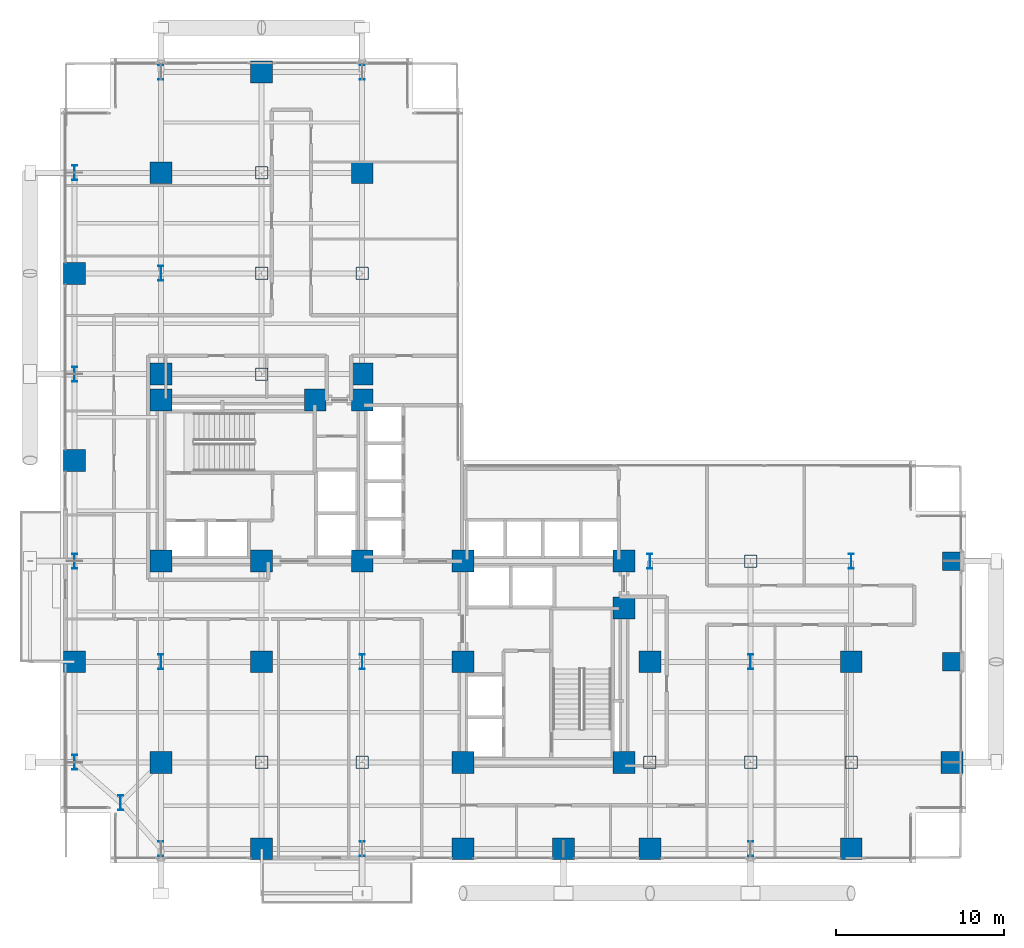
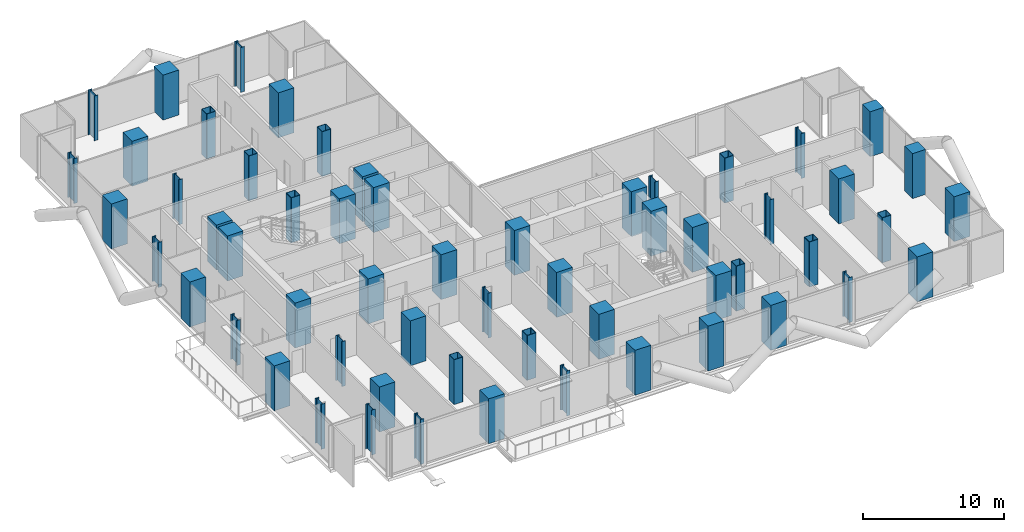
# One storey, part 1 of 25: 58 columns.
"""IFC4 building model written with IfcOpenShell, lengths in metres."""

from ifc_helpers import new_model, si_unit, direction, frame, origin, origin_2d, place, context, subcontext, project, spatial, rectangle, hollow_rectangle, i_section, extrude, material, material_profile, profile_set, type_object, element, save


model = new_model("IFC4")

# Units and contexts
model_context = context("Model", 3, precision=1e-05, world=origin(), true_north=direction((0.0, 1.0)))
body_context = subcontext(model_context, "Body", "Model", "MODEL_VIEW")
ifc_project = project(units=[si_unit("LENGTHUNIT", "METRE"), si_unit("AREAUNIT", "SQUARE_METRE"), si_unit("VOLUMEUNIT", "CUBIC_METRE"), si_unit("PLANEANGLEUNIT", "RADIAN"), si_unit("MASSUNIT", "GRAM", prefix="KILO"), si_unit("THERMODYNAMICTEMPERATUREUNIT", "KELVIN"), si_unit("POWERUNIT", "WATT")], contexts=[model_context])

# Site, building, storey
site_placement = place(None, origin())
site = spatial("IfcSite", under=ifc_project, at=site_placement, CompositionType="ELEMENT")
building_placement = place(site_placement, origin())
building = spatial("IfcBuilding", under=site, at=building_placement, Name="Svarakhadi Broadcast Tower", CompositionType="ELEMENT")
storey_placement = place(building_placement, frame((0.0, 0.0, 48.0)))
storey = spatial("IfcBuildingStorey", under=building, at=storey_placement, Name="L10", CompositionType="ELEMENT", Elevation=48.0)

# Columns
ifc_material_1 = material(Name="Steel S460ML (IS 2062 E450BR)", Category="steel")
ifc_material_profile_1 = material_profile(ifc_material_1, hollow_rectangle(XDim=0.75, YDim=0.75, WallThickness=0.034912109375, InnerFilletRadius=0.034912109375, OuterFilletRadius=0.050048828125, at=origin_2d()), Name="BOX 750x750x35")
ifc_profile_set_1 = profile_set([ifc_material_profile_1], Name="Steel S460ML (IS 2062 E450BR)")
column_type_1 = type_object("IfcColumnType", Name="Col_BOX750", PredefinedType="COLUMN", material=ifc_profile_set_1)
for number, where, z_axis, x_axis, name in (
    (1, (12.0, 6.0, 0.0), (0.0, 0.0, 1.0), (1.0, 0.0, 0.0), "L10 Column G19"),
    (2, (12.0, 29.14990234375, 0.0), (0.0, 0.0, 1.0), (1.0, 0.0, 0.0), "L10 Column G21"),
    (3, (12.0, 35.14990234375, 0.0), (0.0, 0.0, 1.0), (1.0, 0.0, 0.0), "L10 Column G22"),
    (4, (12.0, 41.14990234375, 0.0), (0.0, 0.0, 1.0), (1.0, 0.0, 0.0), "L10 Column G23"),
    (5, (18.0, 6.0, 0.0), (0.0, 0.0, 1.0), (1.0, 0.0, 0.0), "L10 Column G26"),
    (6, (18.0, 35.14990234375, 0.0), (0.0, 0.0, 1.0), (1.0, 0.0, 0.0), "L10 Column G29"),
    (7, (35.14990234375, 6.0, 0.0), (0.0, 0.0, 1.0), (1.0, 0.0, 0.0), "L10 Column G39"),
    (8, (41.14990234375, 6.0, 0.0), (0.0, 0.0, 1.0), (1.0, 0.0, 0.0), "L10 Column G44"),
    (9, (41.14990234375, 18.0, 0.0), (0.0, 0.0, 1.0), (1.0, 0.0, 0.0), "L10 Column G46"),
    (10, (47.14990234375, 6.0, 0.0), (0.0, 0.0, 1.0), (1.0, 0.0, 0.0), "L10 Column G51"),
):
    element("IfcColumn", number, at=place(storey_placement, frame(where, z_axis=z_axis, x_axis=x_axis)), inside=storey, type_object=column_type_1, Name=name, PredefinedType="COLUMN", context=body_context, shape_type="SweptSolid", body=[
        extrude(hollow_rectangle(XDim=0.75, YDim=0.75, WallThickness=0.034912109375, InnerFilletRadius=0.034912109375, OuterFilletRadius=0.050048828125, at=origin_2d()), origin(), (0.0, 0.0, 1.0), 3.89990234375),
    ])
ifc_material_2 = material(Name="Concrete C50/60 (IS 456 M60)", Category="concrete")
ifc_material_profile_2 = material_profile(ifc_material_2, rectangle(XDim=1.10009765625, YDim=1.10009765625, at=origin_2d()), Name="RC 1100x1100")
ifc_profile_set_2 = profile_set([ifc_material_profile_2], Name="Concrete C50/60 (IS 456 M60)")
column_type_2 = type_object("IfcColumnType", Name="Col_RC1100", PredefinedType="COLUMN", material=ifc_profile_set_2)
for number, where, z_axis, x_axis, name in (
    (11, (53.14990234375, 12.0, 0.0), (0.0, 0.0, 1.0), (1.0, 0.0, 0.0), "L10 Zone-1 East Stack Column ZT02"),
    (12, (53.14990234375, 18.0, 0.0), (0.0, 0.0, 1.0), (1.0, 0.0, 0.0), "L10 Zone-1 East Stack Column ZT03"),
):
    element("IfcColumn", number, at=place(storey_placement, frame(where, z_axis=z_axis, x_axis=x_axis)), inside=storey, type_object=column_type_2, Name=name, PredefinedType="COLUMN", context=body_context, shape_type="SweptSolid", body=[
        extrude(rectangle(XDim=1.10009765625, YDim=1.10009765625, at=origin_2d()), origin(), (0.0, 0.0, 1.0), 3.89990234375),
    ])
ifc_material_3 = material(Name="Concrete C60/75 (IS 456 M70)", Category="concrete")
ifc_material_profile_3 = material_profile(ifc_material_3, rectangle(XDim=1.300048828125, YDim=1.300048828125, at=origin_2d()), Name="RC 1300x1300")
ifc_profile_set_3 = profile_set([ifc_material_profile_3], Name="Concrete C60/75 (IS 456 M70)")
column_type_3 = type_object("IfcColumnType", Name="Col_RC1300", PredefinedType="COLUMN", material=ifc_profile_set_3)
for number, where, z_axis, x_axis, name in (
    (13, (6.0, 18.0, 0.0), (0.0, 0.0, 1.0), (1.0, 0.0, 0.0), "L10 Column CW1"),
    (14, (12.0, 18.0, 0.0), (0.0, 0.0, 1.0), (1.0, 0.0, 0.0), "L10 Column CW2"),
    (15, (18.0, 18.0, 0.0), (0.0, 0.0, 1.0), (1.0, 0.0, 0.0), "L10 Column CW3"),
    (16, (6.0, 27.60009765625, 0.0), (0.0, 0.0, 1.0), (1.0, 0.0, 0.0), "L10 Column CW4"),
    (17, (15.199951171875, 27.60009765625, 0.0), (0.0, 0.0, 1.0), (1.0, 0.0, 0.0), "L10 Column CW5"),
    (18, (18.0, 27.60009765625, 0.0), (0.0, 0.0, 1.0), (1.0, 0.0, 0.0), "L10 Column CW6"),
    (19, (24.0, 6.0, 0.0), (0.0, 0.0, 1.0), (1.0, 0.0, 0.0), "L10 Column CE1"),
    (20, (24.0, 12.0, 0.0), (0.0, 0.0, 1.0), (1.0, 0.0, 0.0), "L10 Column CE2"),
    (21, (24.0, 18.0, 0.0), (0.0, 0.0, 1.0), (1.0, 0.0, 0.0), "L10 Column CE3"),
    (22, (33.60009765625, 6.0, 0.0), (0.0, 0.0, 1.0), (1.0, 0.0, 0.0), "L10 Column CE4"),
    (23, (33.60009765625, 15.199951171875, 0.0), (0.0, 0.0, 1.0), (1.0, 0.0, 0.0), "L10 Column CE5"),
    (24, (33.60009765625, 18.0, 0.0), (0.0, 0.0, 1.0), (1.0, 0.0, 0.0), "L10 Column CE6"),
    (25, (0.85009765625, 12.0, 0.0), (0.0, 0.0, 1.0), (1.0, 0.0, 0.0), "L10 Column G04"),
    (26, (0.85009765625, 24.0, 0.0), (0.0, 0.0, 1.0), (1.0, 0.0, 0.0), "L10 Column G06"),
    (27, (0.85009765625, 35.14990234375, 0.0), (0.0, 0.0, 1.0), (1.0, 0.0, 0.0), "L10 Column G08"),
    (28, (6.0, 6.0, 0.0), (0.0, 0.0, 1.0), (1.0, 0.0, 0.0), "L10 Column G12"),
    (29, (6.0, 29.14990234375, 0.0), (0.0, 0.0, 1.0), (1.0, 0.0, 0.0), "L10 Column G14"),
    (30, (6.0, 41.14990234375, 0.0), (0.0, 0.0, 1.0), (1.0, 0.0, 0.0), "L10 Column G16"),
    (31, (12.0, 0.85009765625, 0.0), (0.0, 0.0, 1.0), (1.0, 0.0, 0.0), "L10 Column G18"),
    (32, (12.0, 12.0, 0.0), (0.0, 0.0, 1.0), (1.0, 0.0, 0.0), "L10 Column G20"),
    (33, (12.0, 47.14990234375, 0.0), (0.0, 0.0, 1.0), (1.0, 0.0, 0.0), "L10 Column G24"),
    (34, (18.0, 29.14990234375, 0.0), (0.0, 0.0, 1.0), (1.0, 0.0, 0.0), "L10 Column G28"),
    (35, (18.0, 41.14990234375, 0.0), (0.0, 0.0, 1.0), (1.0, 0.0, 0.0), "L10 Column G30"),
    (36, (24.0, 0.85009765625, 0.0), (0.0, 0.0, 1.0), (1.0, 0.0, 0.0), "L10 Column G32"),
    (37, (30.0, 0.85009765625, 0.0), (0.0, 0.0, 1.0), (1.0, 0.0, 0.0), "L10 Column G36"),
    (38, (35.14990234375, 0.85009765625, 0.0), (0.0, 0.0, 1.0), (1.0, 0.0, 0.0), "L10 Column G38"),
    (39, (35.14990234375, 12.0, 0.0), (0.0, 0.0, 1.0), (1.0, 0.0, 0.0), "L10 Column G40"),
    (40, (47.14990234375, 0.85009765625, 0.0), (0.0, 0.0, 1.0), (1.0, 0.0, 0.0), "L10 Column G50"),
    (41, (47.14990234375, 12.0, 0.0), (0.0, 0.0, 1.0), (1.0, 0.0, 0.0), "L10 Column G52"),
    (42, (53.14990234375, 6.0, 0.0), (0.0, 0.0, 1.0), (1.0, 0.0, 0.0), "L10 Column G58"),
):
    element("IfcColumn", number, at=place(storey_placement, frame(where, z_axis=z_axis, x_axis=x_axis)), inside=storey, type_object=column_type_3, Name=name, PredefinedType="COLUMN", context=body_context, shape_type="SweptSolid", body=[
        extrude(rectangle(XDim=1.300048828125, YDim=1.300048828125, at=origin_2d()), origin(), (0.0, 0.0, 1.0), 3.89990234375),
    ])
ifc_material_profile_4 = material_profile(ifc_material_1, i_section(OverallWidth=0.300048828125, OverallDepth=0.89990234375, WebThickness=0.0185546875, FlangeThickness=0.034912109375, FilletRadius=0.030029296875, at=origin_2d()), Name="WPB 900x300x291")
ifc_profile_set_4 = profile_set([ifc_material_profile_4], Name="Steel S460ML (IS 2062 E450BR)")
column_type_4 = type_object("IfcColumnType", Name="Col_WPB900", PredefinedType="COLUMN", material=ifc_profile_set_4)
for number, where, z_axis, x_axis, name in (
    (43, (3.60009765625, 3.60009765625, 0.0), (0.0, 0.0, 1.0), (1.0, 0.0, 0.0), "L10 Column G01"),
    (44, (0.85009765625, 6.0, 0.0), (0.0, 0.0, 1.0), (1.0, 0.0, 0.0), "L10 Column G03"),
    (45, (0.85009765625, 18.0, 0.0), (0.0, 0.0, 1.0), (1.0, 0.0, 0.0), "L10 Column G05"),
    (46, (0.85009765625, 29.14990234375, 0.0), (0.0, 0.0, 1.0), (1.0, 0.0, 0.0), "L10 Column G07"),
    (47, (0.85009765625, 41.14990234375, 0.0), (0.0, 0.0, 1.0), (1.0, 0.0, 0.0), "L10 Column G09"),
    (48, (6.0, 0.85009765625, 0.0), (0.0, 0.0, 1.0), (1.0, 0.0, 0.0), "L10 Column G11"),
    (49, (6.0, 12.0, 0.0), (0.0, 0.0, 1.0), (1.0, 0.0, 0.0), "L10 Column G13"),
    (50, (6.0, 35.14990234375, 0.0), (0.0, 0.0, 1.0), (1.0, 0.0, 0.0), "L10 Column G15"),
    (51, (6.0, 47.14990234375, 0.0), (0.0, 0.0, 1.0), (1.0, 0.0, 0.0), "L10 Column G17"),
    (52, (18.0, 0.85009765625, 0.0), (0.0, 0.0, 1.0), (1.0, 0.0, 0.0), "L10 Column G25"),
    (53, (18.0, 12.0, 0.0), (0.0, 0.0, 1.0), (1.0, 0.0, 0.0), "L10 Column G27"),
    (54, (18.0, 47.14990234375, 0.0), (0.0, 0.0, 1.0), (1.0, 0.0, 0.0), "L10 Column G31"),
    (55, (35.14990234375, 18.0, 0.0), (0.0, 0.0, 1.0), (1.0, 0.0, 0.0), "L10 Column G41"),
    (56, (41.14990234375, 0.85009765625, 0.0), (0.0, 0.0, 1.0), (1.0, 0.0, 0.0), "L10 Column G43"),
    (57, (41.14990234375, 12.0, 0.0), (0.0, 0.0, 1.0), (1.0, 0.0, 0.0), "L10 Column G45"),
    (58, (47.14990234375, 18.0, 0.0), (0.0, 0.0, 1.0), (1.0, 0.0, 0.0), "L10 Column G53"),
):
    element("IfcColumn", number, at=place(storey_placement, frame(where, z_axis=z_axis, x_axis=x_axis)), inside=storey, type_object=column_type_4, Name=name, PredefinedType="COLUMN", context=body_context, shape_type="SweptSolid", body=[
        extrude(i_section(OverallWidth=0.300048828125, OverallDepth=0.89990234375, WebThickness=0.0185546875, FlangeThickness=0.034912109375, FilletRadius=0.030029296875, at=origin_2d()), origin(), (0.0, 0.0, 1.0), 3.89990234375),
    ])

save(model, "model.ifc")
